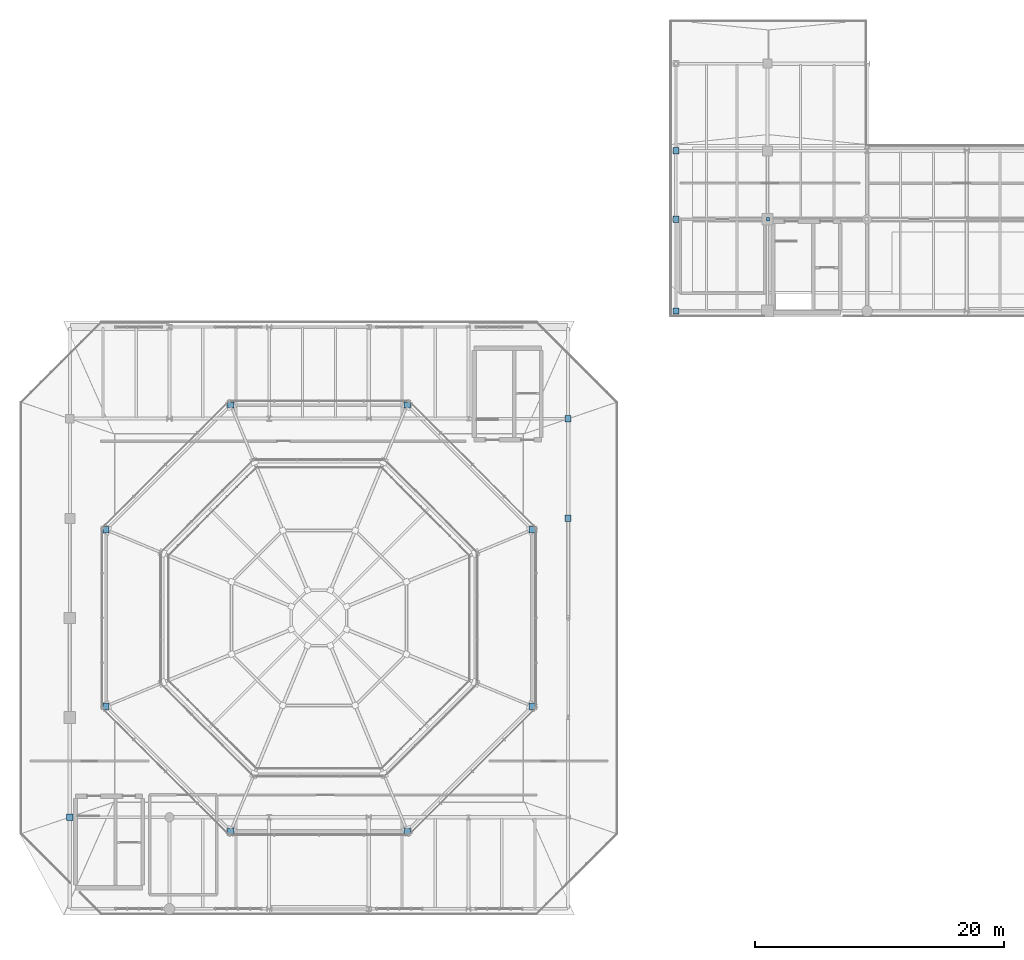
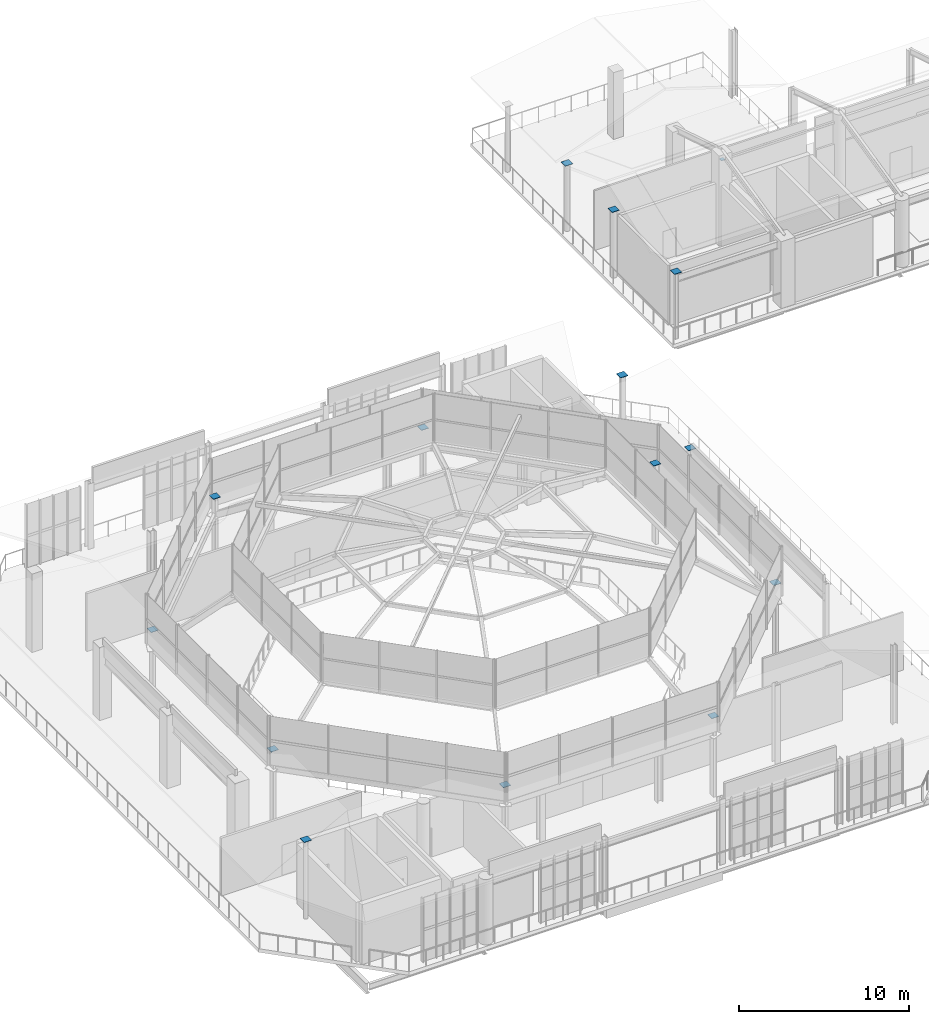
# One storey, part 26 of 30: 15 discrete accessories.
"""IFC4 building model written with IfcOpenShell, lengths in metres."""

from ifc_helpers import new_model, si_unit, direction, frame, origin, origin_2d, place, context, subcontext, project, spatial, rectangle, extrude, material, type_object, element, save


model = new_model("IFC4")

# Units and contexts
model_context = context("Model", 3, precision=1e-05, world=origin(), true_north=direction((0.0, 1.0)))
body_context = subcontext(model_context, "Body", "Model", "MODEL_VIEW")
ifc_project = project(units=[si_unit("LENGTHUNIT", "METRE"), si_unit("AREAUNIT", "SQUARE_METRE"), si_unit("VOLUMEUNIT", "CUBIC_METRE"), si_unit("PLANEANGLEUNIT", "RADIAN"), si_unit("MASSUNIT", "GRAM", prefix="KILO")], contexts=[model_context])

# Site, building, storey
site_placement = place(None, origin())
site = spatial("IfcSite", under=ifc_project, at=site_placement, CompositionType="ELEMENT")
building_placement = place(site_placement, origin())
building = spatial("IfcBuilding", under=site, at=building_placement, Name="Brisemont Oceanarium", CompositionType="ELEMENT")
storey_placement = place(building_placement, frame((0.0, 0.0, 19.800048828125)))
storey = spatial("IfcBuildingStorey", under=building, at=storey_placement, Name="L04", CompositionType="ELEMENT", Elevation=19.800048828125)

# Discrete accessories
ifc_material = material(Name="Structural Steel ASTM A572 Gr.50", Category="steel")
discrete_accessory_type = type_object("IfcDiscreteAccessoryType", Name="ACC-CAP-STL", PredefinedType="ANCHORPLATE", material=ifc_material)
for number, where, z_axis, x_axis, name in (
    (1, (64.0, 40.0, 5.62744140625), (0.0, 0.0, 1.0), (1.0, 0.0, 0.0), "V1 L04 hollow column welded end cap (1,1)"),
    (2, (104.0, 64.0, 5.2353515625), (0.0, 0.0, 1.0), (1.0, 0.0, 0.0), "V1 L04 hollow column welded end cap (6,4)"),
    (3, (104.0, 72.0, 5.62744140625), (0.0, 0.0, 1.0), (1.0, 0.0, 0.0), "V1 L04 hollow column welded end cap (6,5)"),
    (4, (112.64990234375, 80.64990234375, 4.7900390625), (0.0, 0.0, 1.0), (1.0, 0.0, 0.0), "V6 L04 hollow column welded end cap (0,0)"),
    (5, (112.64990234375, 88.0, 4.7900390625), (0.0, 0.0, 1.0), (1.0, 0.0, 0.0), "V6 L04 hollow column welded end cap (0,1)"),
    (6, (112.64990234375, 93.5, 4.7900390625), (0.0, 0.0, 1.0), (1.0, 0.0, 0.0), "V6 L04 hollow column welded end cap (0,2)"),
    (7, (101.091796875, 63.07958984375, 5.7099609375), (0.0, 0.0, 1.0), (1.0, 0.0, 0.0), "V1 dome drum pier welded end cap 1"),
    (8, (91.07958984375, 73.091796875, 5.7099609375), (0.0, 0.0, 1.0), (1.0, 0.0, 0.0), "V1 dome drum pier welded end cap 2"),
    (9, (76.92041015625, 73.091796875, 5.7099609375), (0.0, 0.0, 1.0), (1.0, 0.0, 0.0), "V1 dome drum pier welded end cap 3"),
    (10, (66.908203125, 63.07958984375, 5.7099609375), (0.0, 0.0, 1.0), (1.0, 0.0, 0.0), "V1 dome drum pier welded end cap 4"),
    (11, (66.908203125, 48.92041015625, 5.7099609375), (0.0, 0.0, 1.0), (1.0, 0.0, 0.0), "V1 dome drum pier welded end cap 5"),
    (12, (76.92041015625, 38.908203125, 5.7099609375), (0.0, 0.0, 1.0), (1.0, 0.0, 0.0), "V1 dome drum pier welded end cap 6"),
    (13, (91.07958984375, 38.908203125, 5.7099609375), (0.0, 0.0, 1.0), (1.0, 0.0, 0.0), "V1 dome drum pier welded end cap 7"),
    (14, (101.091796875, 48.92041015625, 5.7099609375), (0.0, 0.0, 1.0), (1.0, 0.0, 0.0), "V1 dome drum pier welded end cap 8"),
):
    element("IfcDiscreteAccessory", number, at=place(storey_placement, frame(where, z_axis=z_axis, x_axis=x_axis)), inside=storey, type_object=discrete_accessory_type, Name=name, PredefinedType="ANCHORPLATE", context=body_context, shape_type="SweptSolid", body=[
        extrude(rectangle(XDim=0.5, YDim=0.5, at=origin_2d()), origin(), (0.0, 0.0, 1.0), 0.030029296875),
    ])
discrete_accessory_placement = place(storey_placement, frame((120.0400390625, 88.0, 5.81494140625), z_axis=(0.0, 0.0, 1.0), x_axis=(1.0, 0.0, 0.0)))
element("IfcDiscreteAccessory", 15, at=discrete_accessory_placement, inside=storey, type_object=discrete_accessory_type, Name="V6 purlin 1 welded end cap 1", PredefinedType="ANCHORPLATE", context=body_context, shape_type="SweptSolid", body=[
    extrude(rectangle(XDim=0.260009765625, YDim=0.260009765625, at=origin_2d()), origin(), (0.0, 0.0, 1.0), 0.030029296875),
])

save(model, "model.ifc")
